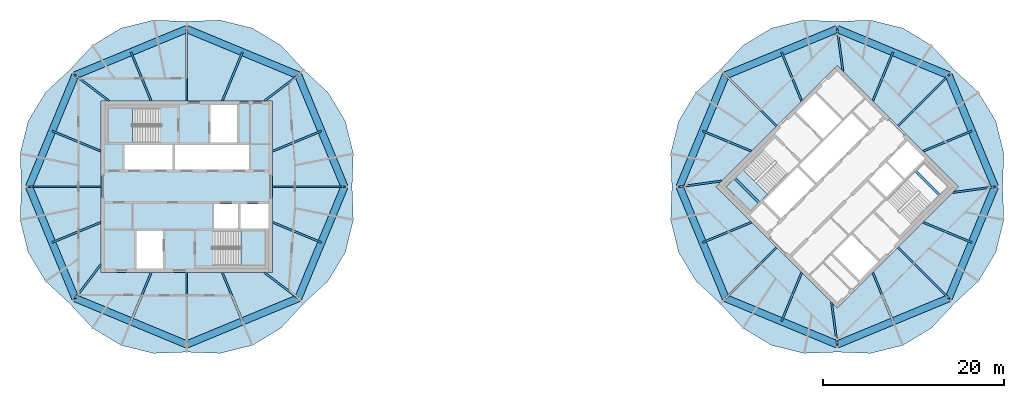
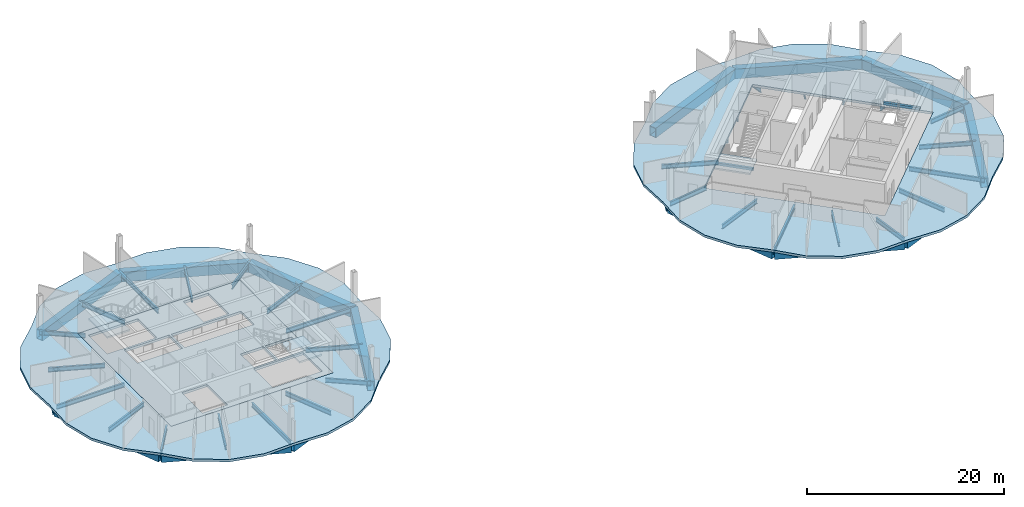
# One storey, part 3 of 11: 50 beams, 6 slabs, 3 elements without a shape of their own.
"""IFC4 building model written with IfcOpenShell, lengths in metres."""

from ifc_helpers import new_model, si_unit, direction, frame, origin, origin_2d, place, context, subcontext, project, spatial, polyline, rectangle, hollow_rectangle, i_section, outline, extrude, material, layer, layer_set, material_profile, profile_set, type_object, element, aggregate, save


model = new_model("IFC4")

# Units and contexts
model_context = context("Model", 3, precision=1e-05, world=origin(), true_north=direction((0.0, 1.0)))
body_context = subcontext(model_context, "Body", "Model", "MODEL_VIEW")
ifc_project = project(units=[si_unit("LENGTHUNIT", "METRE"), si_unit("AREAUNIT", "SQUARE_METRE"), si_unit("VOLUMEUNIT", "CUBIC_METRE"), si_unit("PLANEANGLEUNIT", "RADIAN"), si_unit("MASSUNIT", "GRAM", prefix="KILO")], contexts=[model_context])

# Site, building, storey
site_placement = place(None, origin())
site = spatial("IfcSite", under=ifc_project, at=site_placement, CompositionType="ELEMENT")
building_placement = place(site_placement, origin())
building = spatial("IfcBuilding", under=site, at=building_placement, Name="Ogive Gate Towers", CompositionType="ELEMENT")
storey_placement = place(building_placement, frame((0.0, 0.0, 289.800048828125)))
storey = spatial("IfcBuildingStorey", under=building, at=storey_placement, Name="L68", CompositionType="ELEMENT", Elevation=289.800048828125)

# Beams
ifc_material_1 = material(Name="Steel SM460", Category="steel")
ifc_material_profile_1 = material_profile(ifc_material_1, hollow_rectangle(XDim=0.800048828125, YDim=1.199951171875, WallThickness=0.050048828125, at=origin_2d()), Name="BX 1200x800x50")
ifc_profile_set_1 = profile_set([ifc_material_profile_1], Name="Steel SM460")
beam_type_1 = type_object("IfcBeamType", Name="Edge girder BX 1200x800x50", PredefinedType="BEAM", material=ifc_profile_set_1)
for number, where, z_axis, x_axis, name in (
    (1, (-48.342529296875, -12.342529296875, -0.900146484375), (0.923876732551, -0.382690191996, 0.0), (0.382690191996, 0.923876732551, 0.0), "T1/L68/SBM017"),
    (2, (-36.0, -17.455078125, -0.900146484375), (0.923876732551, 0.382690191996, 0.0), (-0.382690191996, 0.923876732551, 0.0), "T1/L68/SBM018"),
    (3, (-23.657470703125, -12.342529296875, -0.900146484375), (0.382690191996, 0.923876732551, 0.0), (-0.923876732551, 0.382690191996, 0.0), "T1/L68/SBM019"),
    (4, (-18.544921875, 0.0, -0.900146484375), (-0.382690191996, 0.923876732551, 0.0), (-0.923876732551, -0.382690191996, 0.0), "T1/L68/SBM020"),
    (5, (-23.657470703125, 12.342529296875, -0.900146484375), (-0.923876732551, 0.382690191996, 0.0), (-0.382690191996, -0.923876732551, 0.0), "T1/L68/SBM021"),
    (6, (-36.0, 17.455078125, -0.900146484375), (-0.923876732551, -0.382690191996, 0.0), (0.382690191996, -0.923876732551, 0.0), "T1/L68/SBM022"),
    (7, (-48.342529296875, 12.342529296875, -0.900146484375), (-0.382690191996, -0.923876732551, 0.0), (0.923876732551, -0.382690191996, 0.0), "T1/L68/SBM023"),
    (8, (-53.455078125, 0.0, -0.900146484375), (0.382690191996, -0.923876732551, 0.0), (0.923876732551, 0.382690191996, 0.0), "T1/L68/SBM024"),
    (9, (23.657470703125, -12.342529296875, -0.900146484375), (0.923876732551, -0.382690191996, 0.0), (0.382690191996, 0.923876732551, 0.0), "T2/L68/SBM017"),
    (10, (36.0, -17.455078125, -0.900146484375), (0.923876732551, 0.382690191996, 0.0), (-0.382690191996, 0.923876732551, 0.0), "T2/L68/SBM018"),
    (11, (48.342529296875, -12.342529296875, -0.900146484375), (0.382690191996, 0.923876732551, 0.0), (-0.923876732551, 0.382690191996, 0.0), "T2/L68/SBM019"),
    (12, (53.455078125, 0.0, -0.900146484375), (-0.382690191996, 0.923876732551, 0.0), (-0.923876732551, -0.382690191996, 0.0), "T2/L68/SBM020"),
    (13, (48.342529296875, 12.342529296875, -0.900146484375), (-0.923876732551, 0.382690191996, 0.0), (-0.382690191996, -0.923876732551, 0.0), "T2/L68/SBM021"),
    (14, (36.0, 17.455078125, -0.900146484375), (-0.923876732551, -0.382690191996, 0.0), (0.382690191996, -0.923876732551, 0.0), "T2/L68/SBM022"),
    (15, (23.657470703125, 12.342529296875, -0.900146484375), (-0.382690191996, -0.923876732551, 0.0), (0.923876732551, -0.382690191996, 0.0), "T2/L68/SBM023"),
    (16, (18.544921875, 0.0, -0.900146484375), (0.382690191996, -0.923876732551, 0.0), (0.923876732551, 0.382690191996, 0.0), "T2/L68/SBM024"),
):
    element("IfcBeam", number, at=place(storey_placement, frame(where, z_axis=z_axis, x_axis=x_axis)), inside=storey, type_object=beam_type_1, Name=name, PredefinedType="BEAM", context=body_context, shape_type="SweptSolid", body=[
        extrude(hollow_rectangle(XDim=0.800048828125, YDim=1.199951171875, WallThickness=0.050048828125, at=origin_2d()), origin(), (0.0, 0.0, 1.0), 13.359619140625),
    ])
ifc_material_2 = material(Name="Concrete C40/50", Category="concrete")
ifc_material_profile_2 = material_profile(ifc_material_2, rectangle(XDim=0.25, YDim=0.300048828125, at=origin_2d()), Name="RC 250x300")
ifc_profile_set_2 = profile_set([ifc_material_profile_2], Name="Concrete C40/50")
beam_type_2 = type_object("IfcBeamType", Name="Landing bearer RC 250x300", PredefinedType="BEAM", material=ifc_profile_set_2)
for number, where, z_axis, x_axis, name in (
    (17, (24.64111328125, 0.94482421875, 1.75), (0.707138693938, -0.707074866995, 0.0), (0.707074866995, 0.707138693938, 0.0), "T2 L68 stair 1 landing bearer 1"),
    (18, (47.35888671875, -0.94482421875, 1.75), (-0.707138693938, 0.707074866995, 0.0), (-0.707074866995, -0.707138693938, 0.0), "T2 L68 stair 2 landing bearer 1"),
):
    element("IfcBeam", number, at=place(storey_placement, frame(where, z_axis=z_axis, x_axis=x_axis)), inside=storey, type_object=beam_type_2, Name=name, PredefinedType="BEAM", context=body_context, shape_type="SweptSolid", body=[
        extrude(rectangle(XDim=0.25, YDim=0.300048828125, at=origin_2d()), origin(), (0.0, 0.0, 1.0), 3.824951171875),
    ])
ifc_material_3 = material(Name="Steel SM355", Category="steel")
ifc_material_profile_3 = material_profile(ifc_material_3, i_section(OverallWidth=0.2099609375, OverallDepth=0.550048828125, WebThickness=0.010986328125, FlangeThickness=0.01708984375, FilletRadius=0.02392578125, at=origin_2d()), Name="IPE 550")
ifc_profile_set_3 = profile_set([ifc_material_profile_3], Name="Steel SM355")
beam_type_3 = type_object("IfcBeamType", Name="Radial floor beam IPE 550", PredefinedType="BEAM", material=ifc_profile_set_3)
beam_1_placement = place(storey_placement, frame((-45.5, -8.60009765625, -0.574951171875), z_axis=(-0.604851417257, -0.796338347087, 0.0), x_axis=(0.796338347087, -0.604851417257, 0.0)))
element("IfcBeam", 19, at=beam_1_placement, inside=storey, type_object=beam_type_3, Name="T1/L68/SBM001", PredefinedType="BEAM", context=body_context, shape_type="SweptSolid", body=[
    extrude(i_section(OverallWidth=0.2099609375, OverallDepth=0.550048828125, WebThickness=0.010986328125, FlangeThickness=0.01708984375, FilletRadius=0.02392578125, at=origin_2d()), origin(), (0.0, 0.0, 1.0), 4.699462890625),
])
beam_2_placement = place(storey_placement, frame((-39.93505859375, -9.5, -0.574951171875), z_axis=(-0.382701102209, -0.923872213225, 0.0), x_axis=(0.923872213225, -0.382701102209, 0.0)))
element("IfcBeam", 20, at=beam_2_placement, inside=storey, type_object=beam_type_3, Name="T1/L68/SBM002", PredefinedType="BEAM", context=body_context, shape_type="SweptSolid", body=[
    extrude(i_section(OverallWidth=0.2099609375, OverallDepth=0.550048828125, WebThickness=0.010986328125, FlangeThickness=0.01708984375, FilletRadius=0.02392578125, at=origin_2d()), origin(), (0.0, 0.0, 1.0), 5.843505859375),
])
beam_3_placement = place(storey_placement, frame((-36.0, -9.5, -0.574951171875), z_axis=(0.0, -1.0, 0.0), x_axis=(1.0, 0.0, 0.0)))
element("IfcBeam", 21, at=beam_3_placement, inside=storey, type_object=beam_type_3, Name="T1/L68/SBM003", PredefinedType="BEAM", context=body_context, shape_type="SweptSolid", body=[
    extrude(i_section(OverallWidth=0.2099609375, OverallDepth=0.550048828125, WebThickness=0.010986328125, FlangeThickness=0.01708984375, FilletRadius=0.02392578125, at=origin_2d()), origin(), (0.0, 0.0, 1.0), 7.955078125),
])
beam_4_placement = place(storey_placement, frame((-32.06494140625, -9.5, -0.574951171875), z_axis=(0.382701102209, -0.923872213225, 0.0), x_axis=(0.923872213225, 0.382701102209, 0.0)))
element("IfcBeam", 22, at=beam_4_placement, inside=storey, type_object=beam_type_3, Name="T1/L68/SBM004", PredefinedType="BEAM", context=body_context, shape_type="SweptSolid", body=[
    extrude(i_section(OverallWidth=0.2099609375, OverallDepth=0.550048828125, WebThickness=0.010986328125, FlangeThickness=0.01708984375, FilletRadius=0.02392578125, at=origin_2d()), origin(), (0.0, 0.0, 1.0), 5.843505859375),
])
beam_5_placement = place(storey_placement, frame((-27.39990234375, -9.5, -0.574951171875), z_axis=(0.796338347087, -0.604851417257, 0.0), x_axis=(0.604851417257, 0.796338347087, 0.0)))
element("IfcBeam", 23, at=beam_5_placement, inside=storey, type_object=beam_type_3, Name="T1/L68/SBM005", PredefinedType="BEAM", context=body_context, shape_type="SweptSolid", body=[
    extrude(i_section(OverallWidth=0.2099609375, OverallDepth=0.550048828125, WebThickness=0.010986328125, FlangeThickness=0.01708984375, FilletRadius=0.02392578125, at=origin_2d()), origin(), (0.0, 0.0, 1.0), 4.699462890625),
])
beam_6_placement = place(storey_placement, frame((-26.5, -3.93505859375, -0.574951171875), z_axis=(0.923872213225, -0.382701102209, 0.0), x_axis=(0.382701102209, 0.923872213225, 0.0)))
element("IfcBeam", 24, at=beam_6_placement, inside=storey, type_object=beam_type_3, Name="T1/L68/SBM006", PredefinedType="BEAM", context=body_context, shape_type="SweptSolid", body=[
    extrude(i_section(OverallWidth=0.2099609375, OverallDepth=0.550048828125, WebThickness=0.010986328125, FlangeThickness=0.01708984375, FilletRadius=0.02392578125, at=origin_2d()), origin(), (0.0, 0.0, 1.0), 5.843505859375),
])
beam_7_placement = place(storey_placement, frame((-26.5, 0.0, -0.574951171875), z_axis=(1.0, 0.0, 0.0), x_axis=(0.0, 1.0, 0.0)))
element("IfcBeam", 25, at=beam_7_placement, inside=storey, type_object=beam_type_3, Name="T1/L68/SBM007", PredefinedType="BEAM", context=body_context, shape_type="SweptSolid", body=[
    extrude(i_section(OverallWidth=0.2099609375, OverallDepth=0.550048828125, WebThickness=0.010986328125, FlangeThickness=0.01708984375, FilletRadius=0.02392578125, at=origin_2d()), origin(), (0.0, 0.0, 1.0), 7.955078125),
])
beam_8_placement = place(storey_placement, frame((-26.5, 3.93505859375, -0.574951171875), z_axis=(0.923872213225, 0.382701102209, 0.0), x_axis=(-0.382701102209, 0.923872213225, 0.0)))
element("IfcBeam", 26, at=beam_8_placement, inside=storey, type_object=beam_type_3, Name="T1/L68/SBM008", PredefinedType="BEAM", context=body_context, shape_type="SweptSolid", body=[
    extrude(i_section(OverallWidth=0.2099609375, OverallDepth=0.550048828125, WebThickness=0.010986328125, FlangeThickness=0.01708984375, FilletRadius=0.02392578125, at=origin_2d()), origin(), (0.0, 0.0, 1.0), 5.843505859375),
])
beam_9_placement = place(storey_placement, frame((-27.39990234375, 9.5, -0.574951171875), z_axis=(0.796338347087, 0.604851417257, 0.0), x_axis=(-0.604851417257, 0.796338347087, 0.0)))
element("IfcBeam", 27, at=beam_9_placement, inside=storey, type_object=beam_type_3, Name="T1/L68/SBM009", PredefinedType="BEAM", context=body_context, shape_type="SweptSolid", body=[
    extrude(i_section(OverallWidth=0.2099609375, OverallDepth=0.550048828125, WebThickness=0.010986328125, FlangeThickness=0.01708984375, FilletRadius=0.02392578125, at=origin_2d()), origin(), (0.0, 0.0, 1.0), 4.699462890625),
])
beam_10_placement = place(storey_placement, frame((-32.06494140625, 9.5, -0.574951171875), z_axis=(0.382701102209, 0.923872213225, 0.0), x_axis=(-0.923872213225, 0.382701102209, 0.0)))
element("IfcBeam", 28, at=beam_10_placement, inside=storey, type_object=beam_type_3, Name="T1/L68/SBM010", PredefinedType="BEAM", context=body_context, shape_type="SweptSolid", body=[
    extrude(i_section(OverallWidth=0.2099609375, OverallDepth=0.550048828125, WebThickness=0.010986328125, FlangeThickness=0.01708984375, FilletRadius=0.02392578125, at=origin_2d()), origin(), (0.0, 0.0, 1.0), 5.843505859375),
])
beam_11_placement = place(storey_placement, frame((-36.0, 9.5, -0.574951171875), z_axis=(0.0, 1.0, 0.0), x_axis=(-1.0, 0.0, 0.0)))
element("IfcBeam", 29, at=beam_11_placement, inside=storey, type_object=beam_type_3, Name="T1/L68/SBM011", PredefinedType="BEAM", context=body_context, shape_type="SweptSolid", body=[
    extrude(i_section(OverallWidth=0.2099609375, OverallDepth=0.550048828125, WebThickness=0.010986328125, FlangeThickness=0.01708984375, FilletRadius=0.02392578125, at=origin_2d()), origin(), (0.0, 0.0, 1.0), 7.955078125),
])
beam_12_placement = place(storey_placement, frame((-39.93505859375, 9.5, -0.574951171875), z_axis=(-0.382701102209, 0.923872213225, 0.0), x_axis=(-0.923872213225, -0.382701102209, 0.0)))
element("IfcBeam", 30, at=beam_12_placement, inside=storey, type_object=beam_type_3, Name="T1/L68/SBM012", PredefinedType="BEAM", context=body_context, shape_type="SweptSolid", body=[
    extrude(i_section(OverallWidth=0.2099609375, OverallDepth=0.550048828125, WebThickness=0.010986328125, FlangeThickness=0.01708984375, FilletRadius=0.02392578125, at=origin_2d()), origin(), (0.0, 0.0, 1.0), 5.843505859375),
])
beam_13_placement = place(storey_placement, frame((-44.60009765625, 9.5, -0.574951171875), z_axis=(-0.796338347087, 0.604851417257, 0.0), x_axis=(-0.604851417257, -0.796338347087, 0.0)))
element("IfcBeam", 31, at=beam_13_placement, inside=storey, type_object=beam_type_3, Name="T1/L68/SBM013", PredefinedType="BEAM", context=body_context, shape_type="SweptSolid", body=[
    extrude(i_section(OverallWidth=0.2099609375, OverallDepth=0.550048828125, WebThickness=0.010986328125, FlangeThickness=0.01708984375, FilletRadius=0.02392578125, at=origin_2d()), origin(), (0.0, 0.0, 1.0), 4.699462890625),
])
beam_14_placement = place(storey_placement, frame((-45.5, 3.93505859375, -0.574951171875), z_axis=(-0.923872213225, 0.382701102209, 0.0), x_axis=(-0.382701102209, -0.923872213225, 0.0)))
element("IfcBeam", 32, at=beam_14_placement, inside=storey, type_object=beam_type_3, Name="T1/L68/SBM014", PredefinedType="BEAM", context=body_context, shape_type="SweptSolid", body=[
    extrude(i_section(OverallWidth=0.2099609375, OverallDepth=0.550048828125, WebThickness=0.010986328125, FlangeThickness=0.01708984375, FilletRadius=0.02392578125, at=origin_2d()), origin(), (0.0, 0.0, 1.0), 5.843505859375),
])
beam_15_placement = place(storey_placement, frame((-45.5, 0.0, -0.574951171875), z_axis=(-1.0, 0.0, 0.0), x_axis=(0.0, -1.0, 0.0)))
element("IfcBeam", 33, at=beam_15_placement, inside=storey, type_object=beam_type_3, Name="T1/L68/SBM015", PredefinedType="BEAM", context=body_context, shape_type="SweptSolid", body=[
    extrude(i_section(OverallWidth=0.2099609375, OverallDepth=0.550048828125, WebThickness=0.010986328125, FlangeThickness=0.01708984375, FilletRadius=0.02392578125, at=origin_2d()), origin(), (0.0, 0.0, 1.0), 7.955078125),
])
beam_16_placement = place(storey_placement, frame((-45.5, -3.93505859375, -0.574951171875), z_axis=(-0.923872213225, -0.382701102209, 0.0), x_axis=(0.382701102209, -0.923872213225, 0.0)))
element("IfcBeam", 34, at=beam_16_placement, inside=storey, type_object=beam_type_3, Name="T1/L68/SBM016", PredefinedType="BEAM", context=body_context, shape_type="SweptSolid", body=[
    extrude(i_section(OverallWidth=0.2099609375, OverallDepth=0.550048828125, WebThickness=0.010986328125, FlangeThickness=0.01708984375, FilletRadius=0.02392578125, at=origin_2d()), origin(), (0.0, 0.0, 1.0), 5.843505859375),
])
beam_17_placement = place(storey_placement, frame((29.282470703125, -6.717529296875, -0.574951171875), z_axis=(-0.707106781187, -0.707106781187, 0.0), x_axis=(0.707106781187, -0.707106781187, 0.0)))
element("IfcBeam", 35, at=beam_17_placement, inside=storey, type_object=beam_type_3, Name="T2/L68/SBM001", PredefinedType="BEAM", context=body_context, shape_type="SweptSolid", body=[
    extrude(i_section(OverallWidth=0.2099609375, OverallDepth=0.550048828125, WebThickness=0.010986328125, FlangeThickness=0.01708984375, FilletRadius=0.02392578125, at=origin_2d()), origin(), (0.0, 0.0, 1.0), 7.954833984375),
])
beam_18_placement = place(storey_placement, frame((32.06494140625, -9.5, -0.574951171875), z_axis=(-0.382701102209, -0.923872213225, 0.0), x_axis=(0.923872213225, -0.382701102209, 0.0)))
element("IfcBeam", 36, at=beam_18_placement, inside=storey, type_object=beam_type_3, Name="T2/L68/SBM002", PredefinedType="BEAM", context=body_context, shape_type="SweptSolid", body=[
    extrude(i_section(OverallWidth=0.2099609375, OverallDepth=0.550048828125, WebThickness=0.010986328125, FlangeThickness=0.01708984375, FilletRadius=0.02392578125, at=origin_2d()), origin(), (0.0, 0.0, 1.0), 5.843505859375),
])
beam_19_placement = place(storey_placement, frame((35.363525390625, -12.798583984375, -0.574951171875), z_axis=(0.135426145155, -0.99078744401, 0.0), x_axis=(0.99078744401, 0.135426145155, 0.0)))
element("IfcBeam", 37, at=beam_19_placement, inside=storey, type_object=beam_type_3, Name="T2/L68/SBM003", PredefinedType="BEAM", context=body_context, shape_type="SweptSolid", body=[
    extrude(i_section(OverallWidth=0.2099609375, OverallDepth=0.550048828125, WebThickness=0.010986328125, FlangeThickness=0.01708984375, FilletRadius=0.02392578125, at=origin_2d()), origin(), (0.0, 0.0, 1.0), 4.69970703125),
])
beam_20_placement = place(storey_placement, frame((39.93505859375, -9.5, -0.574951171875), z_axis=(0.382701102209, -0.923872213225, 0.0), x_axis=(0.923872213225, 0.382701102209, 0.0)))
element("IfcBeam", 38, at=beam_20_placement, inside=storey, type_object=beam_type_3, Name="T2/L68/SBM004", PredefinedType="BEAM", context=body_context, shape_type="SweptSolid", body=[
    extrude(i_section(OverallWidth=0.2099609375, OverallDepth=0.550048828125, WebThickness=0.010986328125, FlangeThickness=0.01708984375, FilletRadius=0.02392578125, at=origin_2d()), origin(), (0.0, 0.0, 1.0), 5.843505859375),
])
beam_21_placement = place(storey_placement, frame((42.717529296875, -6.717529296875, -0.574951171875), z_axis=(0.707106781187, -0.707106781187, 0.0), x_axis=(0.707106781187, 0.707106781187, 0.0)))
element("IfcBeam", 39, at=beam_21_placement, inside=storey, type_object=beam_type_3, Name="T2/L68/SBM005", PredefinedType="BEAM", context=body_context, shape_type="SweptSolid", body=[
    extrude(i_section(OverallWidth=0.2099609375, OverallDepth=0.550048828125, WebThickness=0.010986328125, FlangeThickness=0.01708984375, FilletRadius=0.02392578125, at=origin_2d()), origin(), (0.0, 0.0, 1.0), 7.954833984375),
])
beam_22_placement = place(storey_placement, frame((45.5, -3.93505859375, -0.574951171875), z_axis=(0.923872213225, -0.382701102209, 0.0), x_axis=(0.382701102209, 0.923872213225, 0.0)))
element("IfcBeam", 40, at=beam_22_placement, inside=storey, type_object=beam_type_3, Name="T2/L68/SBM006", PredefinedType="BEAM", context=body_context, shape_type="SweptSolid", body=[
    extrude(i_section(OverallWidth=0.2099609375, OverallDepth=0.550048828125, WebThickness=0.010986328125, FlangeThickness=0.01708984375, FilletRadius=0.02392578125, at=origin_2d()), origin(), (0.0, 0.0, 1.0), 5.843505859375),
])
beam_23_placement = place(storey_placement, frame((48.798583984375, -0.636474609375, -0.574951171875), z_axis=(0.99078744401, 0.135426145155, 0.0), x_axis=(-0.135426145155, 0.99078744401, 0.0)))
element("IfcBeam", 41, at=beam_23_placement, inside=storey, type_object=beam_type_3, Name="T2/L68/SBM007", PredefinedType="BEAM", context=body_context, shape_type="SweptSolid", body=[
    extrude(i_section(OverallWidth=0.2099609375, OverallDepth=0.550048828125, WebThickness=0.010986328125, FlangeThickness=0.01708984375, FilletRadius=0.02392578125, at=origin_2d()), origin(), (0.0, 0.0, 1.0), 4.69970703125),
])
beam_24_placement = place(storey_placement, frame((45.5, 3.93505859375, -0.574951171875), z_axis=(0.923872213225, 0.382701102209, 0.0), x_axis=(-0.382701102209, 0.923872213225, 0.0)))
element("IfcBeam", 42, at=beam_24_placement, inside=storey, type_object=beam_type_3, Name="T2/L68/SBM008", PredefinedType="BEAM", context=body_context, shape_type="SweptSolid", body=[
    extrude(i_section(OverallWidth=0.2099609375, OverallDepth=0.550048828125, WebThickness=0.010986328125, FlangeThickness=0.01708984375, FilletRadius=0.02392578125, at=origin_2d()), origin(), (0.0, 0.0, 1.0), 5.843505859375),
])
beam_25_placement = place(storey_placement, frame((42.717529296875, 6.717529296875, -0.574951171875), z_axis=(0.707106781187, 0.707106781187, 0.0), x_axis=(-0.707106781187, 0.707106781187, 0.0)))
element("IfcBeam", 43, at=beam_25_placement, inside=storey, type_object=beam_type_3, Name="T2/L68/SBM009", PredefinedType="BEAM", context=body_context, shape_type="SweptSolid", body=[
    extrude(i_section(OverallWidth=0.2099609375, OverallDepth=0.550048828125, WebThickness=0.010986328125, FlangeThickness=0.01708984375, FilletRadius=0.02392578125, at=origin_2d()), origin(), (0.0, 0.0, 1.0), 7.954833984375),
])
beam_26_placement = place(storey_placement, frame((39.93505859375, 9.5, -0.574951171875), z_axis=(0.382701102209, 0.923872213225, 0.0), x_axis=(-0.923872213225, 0.382701102209, 0.0)))
element("IfcBeam", 44, at=beam_26_placement, inside=storey, type_object=beam_type_3, Name="T2/L68/SBM010", PredefinedType="BEAM", context=body_context, shape_type="SweptSolid", body=[
    extrude(i_section(OverallWidth=0.2099609375, OverallDepth=0.550048828125, WebThickness=0.010986328125, FlangeThickness=0.01708984375, FilletRadius=0.02392578125, at=origin_2d()), origin(), (0.0, 0.0, 1.0), 5.843505859375),
])
beam_27_placement = place(storey_placement, frame((36.636474609375, 12.798583984375, -0.574951171875), z_axis=(-0.135426145155, 0.99078744401, 0.0), x_axis=(-0.99078744401, -0.135426145155, 0.0)))
element("IfcBeam", 45, at=beam_27_placement, inside=storey, type_object=beam_type_3, Name="T2/L68/SBM011", PredefinedType="BEAM", context=body_context, shape_type="SweptSolid", body=[
    extrude(i_section(OverallWidth=0.2099609375, OverallDepth=0.550048828125, WebThickness=0.010986328125, FlangeThickness=0.01708984375, FilletRadius=0.02392578125, at=origin_2d()), origin(), (0.0, 0.0, 1.0), 4.69970703125),
])
beam_28_placement = place(storey_placement, frame((32.06494140625, 9.5, -0.574951171875), z_axis=(-0.382701102209, 0.923872213225, 0.0), x_axis=(-0.923872213225, -0.382701102209, 0.0)))
element("IfcBeam", 46, at=beam_28_placement, inside=storey, type_object=beam_type_3, Name="T2/L68/SBM012", PredefinedType="BEAM", context=body_context, shape_type="SweptSolid", body=[
    extrude(i_section(OverallWidth=0.2099609375, OverallDepth=0.550048828125, WebThickness=0.010986328125, FlangeThickness=0.01708984375, FilletRadius=0.02392578125, at=origin_2d()), origin(), (0.0, 0.0, 1.0), 5.843505859375),
])
beam_29_placement = place(storey_placement, frame((29.282470703125, 6.717529296875, -0.574951171875), z_axis=(-0.707106781187, 0.707106781187, 0.0), x_axis=(-0.707106781187, -0.707106781187, 0.0)))
element("IfcBeam", 47, at=beam_29_placement, inside=storey, type_object=beam_type_3, Name="T2/L68/SBM013", PredefinedType="BEAM", context=body_context, shape_type="SweptSolid", body=[
    extrude(i_section(OverallWidth=0.2099609375, OverallDepth=0.550048828125, WebThickness=0.010986328125, FlangeThickness=0.01708984375, FilletRadius=0.02392578125, at=origin_2d()), origin(), (0.0, 0.0, 1.0), 7.954833984375),
])
beam_30_placement = place(storey_placement, frame((26.5, 3.93505859375, -0.574951171875), z_axis=(-0.923872213225, 0.382701102209, 0.0), x_axis=(-0.382701102209, -0.923872213225, 0.0)))
element("IfcBeam", 48, at=beam_30_placement, inside=storey, type_object=beam_type_3, Name="T2/L68/SBM014", PredefinedType="BEAM", context=body_context, shape_type="SweptSolid", body=[
    extrude(i_section(OverallWidth=0.2099609375, OverallDepth=0.550048828125, WebThickness=0.010986328125, FlangeThickness=0.01708984375, FilletRadius=0.02392578125, at=origin_2d()), origin(), (0.0, 0.0, 1.0), 5.843505859375),
])
beam_31_placement = place(storey_placement, frame((23.201416015625, 0.636474609375, -0.574951171875), z_axis=(-0.99078744401, -0.135426145155, 0.0), x_axis=(0.135426145155, -0.99078744401, 0.0)))
element("IfcBeam", 49, at=beam_31_placement, inside=storey, type_object=beam_type_3, Name="T2/L68/SBM015", PredefinedType="BEAM", context=body_context, shape_type="SweptSolid", body=[
    extrude(i_section(OverallWidth=0.2099609375, OverallDepth=0.550048828125, WebThickness=0.010986328125, FlangeThickness=0.01708984375, FilletRadius=0.02392578125, at=origin_2d()), origin(), (0.0, 0.0, 1.0), 4.69970703125),
])
beam_32_placement = place(storey_placement, frame((26.5, -3.93505859375, -0.574951171875), z_axis=(-0.923872213225, -0.382701102209, 0.0), x_axis=(0.382701102209, -0.923872213225, 0.0)))
element("IfcBeam", 50, at=beam_32_placement, inside=storey, type_object=beam_type_3, Name="T2/L68/SBM016", PredefinedType="BEAM", context=body_context, shape_type="SweptSolid", body=[
    extrude(i_section(OverallWidth=0.2099609375, OverallDepth=0.550048828125, WebThickness=0.010986328125, FlangeThickness=0.01708984375, FilletRadius=0.02392578125, at=origin_2d()), origin(), (0.0, 0.0, 1.0), 5.843505859375),
])

# Slabs
ifc_layer_1 = layer(ifc_material_2, 0.300048828125)
ifc_layer_set_1 = layer_set([ifc_layer_1], Name="Core slab C40/50 300 mm")
slab_type_1 = type_object("IfcSlabType", Name="Core slab C40/50 300 mm", PredefinedType="FLOOR", material=ifc_layer_set_1)
slab_1_placement = place(storey_placement, frame((0.0, 0.0, -0.300048828125)))
element("IfcSlab", 51, at=slab_1_placement, inside=storey, type_object=slab_type_1, Name="T1 L68 core slab", PredefinedType="FLOOR", context=body_context, shape_type="SweptSolid", body=[
    extrude(outline(polyline([(-45.5, -9.5), (-45.5, 9.5), (-26.5, 9.5), (-26.5, -9.5), (-45.5, -9.5)]), holes=[polyline([(-42.875, 1.925048828125), (-37.574951171875, 1.925048828125), (-37.574951171875, 4.625), (-42.875, 4.625), (-42.875, 1.925048828125)]), polyline([(-37.324951171875, 4.625), (-37.324951171875, 1.925048828125), (-29.125, 1.925048828125), (-29.125, 4.625), (-37.324951171875, 4.625)]), polyline([(-30.324951171875, -1.925048828125), (-32.97509765625, -1.925048828125), (-32.97509765625, -4.625), (-30.324951171875, -4.625), (-30.324951171875, -1.925048828125)]), polyline([(-26.949951171875, -4.625), (-26.949951171875, -1.925048828125), (-30.074951171875, -1.925048828125), (-30.074951171875, -4.625), (-26.949951171875, -4.625)]), polyline([(-33.375, 4.875), (-30.425048828125, 4.875), (-30.425048828125, 9.050048828125), (-33.375, 9.050048828125), (-33.375, 4.875)]), polyline([(-41.574951171875, -4.875), (-41.574951171875, -9.050048828125), (-38.625, -9.050048828125), (-38.625, -4.875), (-41.574951171875, -4.875)]), polyline([(-44.699951171875, 4.875), (-38.885009765625, 4.875), (-38.885009765625, 8.699951171875), (-44.699951171875, 8.699951171875), (-44.699951171875, 4.875)]), polyline([(-27.300048828125, -8.699951171875), (-27.300048828125, -4.875), (-33.114990234375, -4.875), (-33.114990234375, -8.699951171875), (-27.300048828125, -8.699951171875)])]), origin(), (0.0, 0.0, 1.0), 0.300048828125),
])
ifc_material_4 = material(Name="Concrete C35/45", Category="concrete")
ifc_layer_2 = layer(ifc_material_4, 0.300048828125)
ifc_layer_set_2 = layer_set([ifc_layer_2], Name="Floor slab 300")
slab_type_2 = type_object("IfcSlabType", Name="Floor slab 300", PredefinedType="FLOOR", material=ifc_layer_set_2)
slab_2_placement = place(storey_placement, frame((0.0, 0.0, -0.300048828125)))
element("IfcSlab", 52, at=slab_2_placement, inside=storey, type_object=slab_type_2, Name="T1/L68/SSL001", PredefinedType="FLOOR", context=body_context, shape_type="SweptSolid", body=[
    extrude(outline(polyline([(-17.561279296875, -3.667724609375), (-17.699951171875, 0.0), (-17.561279296875, 3.667724609375), (-18.4462890625, 7.27099609375), (-20.368408203125, 10.44482421875), (-23.06005859375, 12.93994140625), (-25.55517578125, 15.631591796875), (-28.72900390625, 17.5537109375), (-32.332275390625, 18.438720703125), (-36.0, 18.300048828125), (-39.667724609375, 18.438720703125), (-43.27099609375, 17.5537109375), (-46.44482421875, 15.631591796875), (-48.93994140625, 12.93994140625), (-51.631591796875, 10.44482421875), (-53.5537109375, 7.27099609375), (-54.438720703125, 3.667724609375), (-54.300048828125, 0.0), (-54.438720703125, -3.667724609375), (-53.5537109375, -7.27099609375), (-51.631591796875, -10.44482421875), (-48.93994140625, -12.93994140625), (-46.44482421875, -15.631591796875), (-43.27099609375, -17.5537109375), (-39.667724609375, -18.438720703125), (-36.0, -18.300048828125), (-32.332275390625, -18.438720703125), (-28.72900390625, -17.5537109375), (-25.55517578125, -15.631591796875), (-23.06005859375, -12.93994140625), (-20.368408203125, -10.44482421875), (-18.4462890625, -7.27099609375), (-17.561279296875, -3.667724609375)]), holes=[polyline([(-26.5, -9.5), (-45.5, -9.5), (-45.5, 9.5), (-26.5, 9.5), (-26.5, -9.5)])]), origin(), (0.0, 0.0, 1.0), 0.300048828125),
])
slab_3_placement = place(storey_placement, frame((0.0, 0.0, -0.300048828125)))
element("IfcSlab", 53, at=slab_3_placement, inside=storey, type_object=slab_type_2, Name="T2/L68/SSL001", PredefinedType="FLOOR", context=body_context, shape_type="SweptSolid", body=[
    extrude(outline(polyline([(54.438720703125, -3.667724609375), (54.300048828125, 0.0), (54.438720703125, 3.667724609375), (53.5537109375, 7.27099609375), (51.631591796875, 10.44482421875), (48.93994140625, 12.93994140625), (46.44482421875, 15.631591796875), (43.27099609375, 17.5537109375), (39.667724609375, 18.438720703125), (36.0, 18.300048828125), (32.332275390625, 18.438720703125), (28.72900390625, 17.5537109375), (25.55517578125, 15.631591796875), (23.06005859375, 12.93994140625), (20.368408203125, 10.44482421875), (18.4462890625, 7.27099609375), (17.561279296875, 3.667724609375), (17.699951171875, 0.0), (17.561279296875, -3.667724609375), (18.4462890625, -7.27099609375), (20.368408203125, -10.44482421875), (23.06005859375, -12.93994140625), (25.55517578125, -15.631591796875), (28.72900390625, -17.5537109375), (32.332275390625, -18.438720703125), (36.0, -18.300048828125), (39.667724609375, -18.438720703125), (43.27099609375, -17.5537109375), (46.44482421875, -15.631591796875), (48.93994140625, -12.93994140625), (51.631591796875, -10.44482421875), (53.5537109375, -7.27099609375), (54.438720703125, -3.667724609375)]), holes=[polyline([(49.43505859375, 0.0), (36.0, -13.43505859375), (22.56494140625, 0.0), (36.0, 13.43505859375), (49.43505859375, 0.0)])]), origin(), (0.0, 0.0, 1.0), 0.300048828125),
])

# Stair, slab
stair_type = type_object("IfcStairType", Name="Escape stair 1840 wide", PredefinedType="HALF_TURN_STAIR", material=ifc_material_2)
stair_1_placement = place(storey_placement, origin())
stair_1 = element("IfcStair", 54, at=stair_1_placement, inside=storey, type_object=stair_type, Name="L68 Escape stair 1", PredefinedType="HALF_TURN_STAIR")
ifc_layer_3 = layer(ifc_material_2, 0.199951171875)
ifc_layer_set_3 = layer_set([ifc_layer_3], Name="Stair landing 200 mm")
slab_type_3 = type_object("IfcSlabType", Name="Stair landing 200 mm", PredefinedType="LANDING", material=ifc_layer_set_3)
slab_4_placement = place(storey_placement, frame((0.0, 0.0, 1.89990234375)))
slab_4 = element("IfcSlab", 55, at=slab_4_placement, type_object=slab_type_3, Name="ST1 landing 1", PredefinedType="LANDING", context=body_context, shape_type="SweptSolid", body=[
    extrude(outline(polyline([(-42.027587890625, 8.699951171875), (-44.699951171875, 8.699951171875), (-44.699951171875, 4.875), (-42.027587890625, 4.875), (-42.027587890625, 8.699951171875)])), origin(), (0.0, 0.0, 1.0), 0.199951171875),
])
aggregate(stair_1, [slab_4])

stair_2_placement = place(storey_placement, origin())
stair_2 = element("IfcStair", 56, at=stair_2_placement, inside=storey, type_object=stair_type, Name="L68 Escape stair 2", PredefinedType="HALF_TURN_STAIR")
slab_5_placement = place(storey_placement, frame((0.0, 0.0, 1.89990234375)))
slab_5 = element("IfcSlab", 57, at=slab_5_placement, type_object=slab_type_3, Name="ST2 landing 1", PredefinedType="LANDING", context=body_context, shape_type="SweptSolid", body=[
    extrude(outline(polyline([(-29.972412109375, -8.699951171875), (-27.300048828125, -8.699951171875), (-27.300048828125, -4.875), (-29.972412109375, -4.875), (-29.972412109375, -8.699951171875)])), origin(), (0.0, 0.0, 1.0), 0.199951171875),
])
aggregate(stair_2, [slab_5])

stair_3_placement = place(storey_placement, origin())
stair_3 = element("IfcStair", 58, at=stair_3_placement, inside=storey, type_object=stair_type, Name="L68 Escape stair 1", PredefinedType="HALF_TURN_STAIR")
slab_6_placement = place(storey_placement, frame((0.0, 0.0, 1.89990234375)))
slab_6 = element("IfcSlab", 59, at=slab_6_placement, type_object=slab_type_3, Name="ST1 landing 1", PredefinedType="LANDING", context=body_context, shape_type="SweptSolid", body=[
    extrude(outline(polyline([(25.586181640625, 1.8896484375), (23.6962890625, 0.0), (26.401123046875, -2.70458984375), (28.290771484375, -0.81494140625), (25.586181640625, 1.8896484375)])), origin(), (0.0, 0.0, 1.0), 0.199951171875),
])
aggregate(stair_3, [slab_6])

save(model, "model.ifc")
